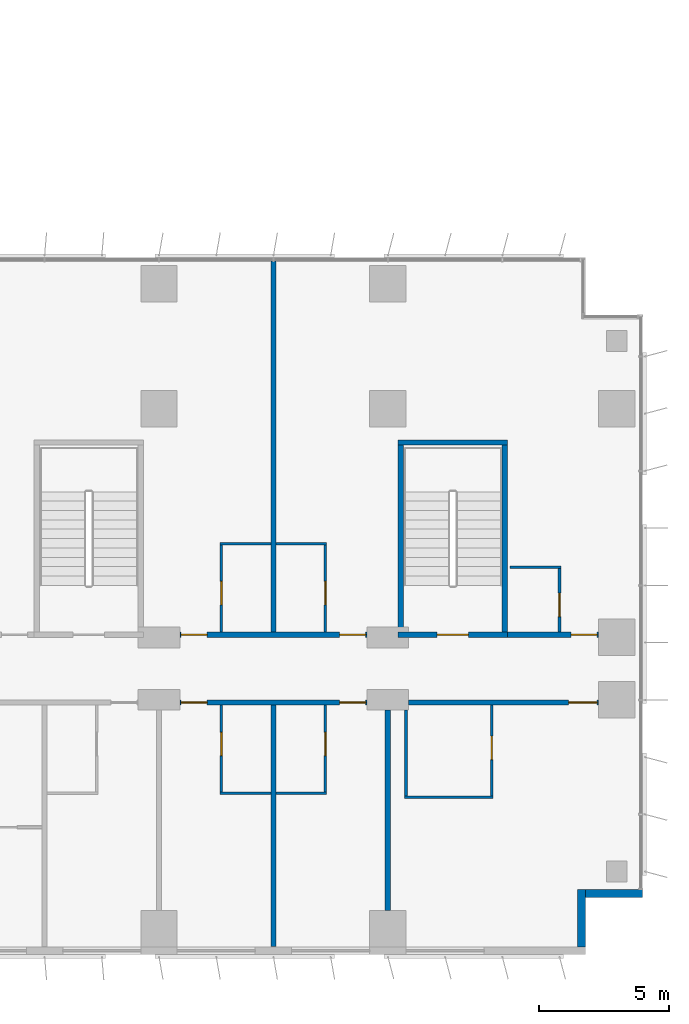
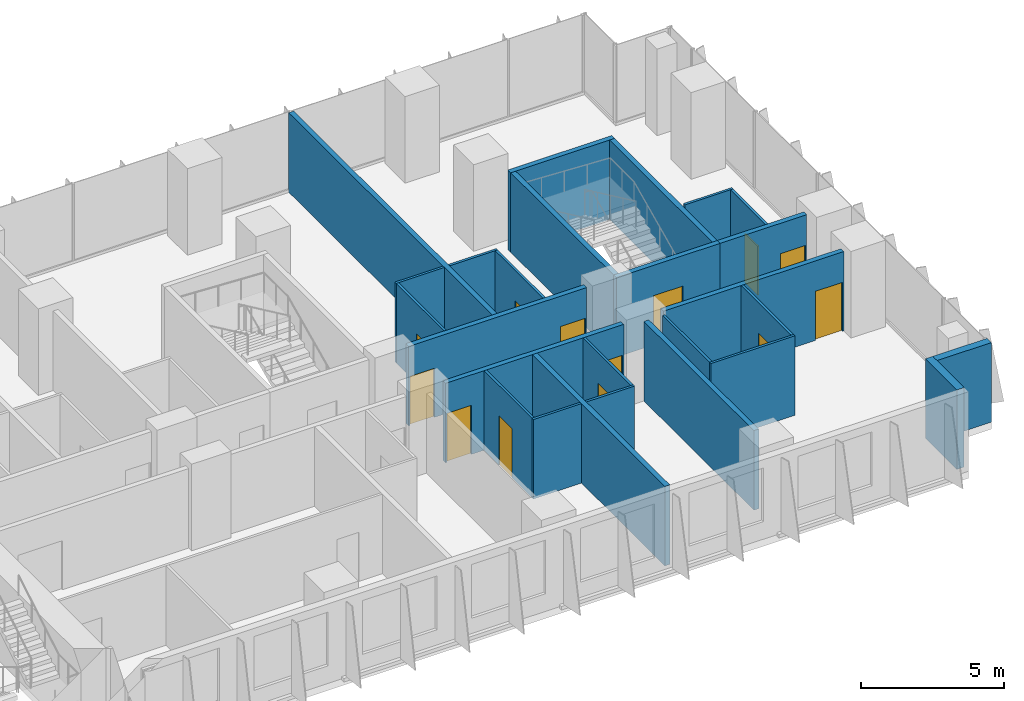
# One storey, part 18 of 24: 26 walls, 13 doors, 13 openings.
"""IFC4 building model written with IfcOpenShell, lengths in metres."""

import ifcopenshell
import ifcopenshell.guid

model = None  # the IFC model being written
_history = None  # IfcOwnerHistory: only IFC2X3 demands one
_inside = {}  # id of a spatial element -> (the spatial element, [elements in it])
_under = {}  # id of a project, library or spatial element -> (it, [spatial elements below it])
_declared = {}  # id of a project -> (the project, [libraries it declares])
_typed = {}  # id of a type object -> (the type object, [elements of that type])
_made_of = {}  # id of a material, layer set ... -> (it, [elements and type objects made of it])


def new_model(schema):
    """Start an empty IFC model of exactly this schema.

    Asked for "IFC4X3", IfcOpenShell would pick the latest addendum, in which some entities
    have other attributes; the version numbers below select the first issue.
    IFC2X3 requires an IfcOwnerHistory on every rooted entity: one is made here for all.
    """
    global model, _history
    if schema == "IFC4X3":
        model = ifcopenshell.file(schema_version=(4, 3, 0, 0))
    else:
        model = ifcopenshell.file(schema=schema)
    _inside.clear()
    _under.clear()
    _declared.clear()
    _typed.clear()
    _made_of.clear()
    _history = None
    if model.schema == "IFC2X3":
        org = make("IfcOrganization", Name="unknown")
        user = make(
            "IfcPersonAndOrganization",
            ThePerson=make("IfcPerson", FamilyName="unknown"),
            TheOrganization=org,
        )
        app = make(
            "IfcApplication",
            ApplicationDeveloper=org,
            Version="unknown",
            ApplicationFullName="unknown",
            ApplicationIdentifier="unknown",
        )
        _history = make(
            "IfcOwnerHistory",
            OwningUser=user,
            OwningApplication=app,
            ChangeAction="ADDED",
            CreationDate=0,
        )
    return model


def make(cls, **values):
    """One entity of the class cls with the attributes given. An attribute that is None is left unset."""
    return model.create_entity(
        cls, **{name: value for name, value in values.items() if value is not None}
    )


def rooted(cls, **values):
    """An entity with a GlobalId (a new one), such as an element, a storey or a relation."""
    return make(cls, GlobalId=ifcopenshell.guid.new(), OwnerHistory=_history, **values)


def si_unit(unit_type, name, prefix=None):
    """IfcSIUnit, for example si_unit("LENGTHUNIT", "METRE", prefix="MILLI")."""
    return make("IfcSIUnit", UnitType=unit_type, Prefix=prefix, Name=name)


def assignment(units):
    """IfcUnitAssignment: the units of a project."""
    return None if units is None else make("IfcUnitAssignment", Units=units)


def point(xyz):
    """IfcCartesianPoint."""
    return None if xyz is None else make("IfcCartesianPoint", Coordinates=xyz)


def direction(xyz):
    """IfcDirection."""
    return None if xyz is None else make("IfcDirection", DirectionRatios=xyz)


def frame(location, z_axis=None, x_axis=None):
    """IfcAxis2Placement3D, a coordinate frame: its origin and axes. An axis left out is left unset."""
    return make(
        "IfcAxis2Placement3D",
        Location=point(location),
        Axis=direction(z_axis),
        RefDirection=direction(x_axis),
    )


def frame_2d(location, x_axis=None):
    """IfcAxis2Placement2D, a coordinate frame in the plane: its origin and x axis."""
    return make(
        "IfcAxis2Placement2D", Location=point(location), RefDirection=direction(x_axis)
    )


def origin():
    """The frame at (0, 0, 0) with its axes left unset."""
    return frame((0.0, 0.0, 0.0))


def place(relative_to, where):
    """IfcLocalPlacement: puts the frame where relative to a parent placement (None: the world)."""
    return make(
        "IfcLocalPlacement", PlacementRelTo=relative_to, RelativePlacement=where
    )


def context(
    kind, dimensions, precision=None, world=None, true_north=None, identifier=None
):
    """IfcGeometricRepresentationContext, for example the 3D "Model" context."""
    return make(
        "IfcGeometricRepresentationContext",
        ContextIdentifier=identifier,
        ContextType=kind,
        CoordinateSpaceDimension=dimensions,
        Precision=precision,
        WorldCoordinateSystem=world,
        TrueNorth=true_north,
    )


def subcontext(parent, identifier, kind, view, scale=None):
    """IfcGeometricRepresentationSubContext, for example "Body" below "Model"."""
    return make(
        "IfcGeometricRepresentationSubContext",
        ContextIdentifier=identifier,
        ContextType=kind,
        ParentContext=parent,
        TargetScale=scale,
        TargetView=view,
    )


def project(units=None, contexts=None):
    """IfcProject with its units and contexts."""
    return rooted(
        "IfcProject",
        Name="project",
        RepresentationContexts=contexts,
        UnitsInContext=assignment(units),
    )


def spatial(cls, under=None, at=None, **own):
    """A site, building, storey or space (cls), placed at a placement, below another one or the project."""
    s = rooted(cls, ObjectPlacement=at, **own)
    if under is not None:
        _under.setdefault(under.id(), (under, []))[1].append(s)
    return s


def profile(cls, at=None, kind="AREA", **sizes):
    """A parametric profile (cls). Its sizes go by their IFC names, for example OverallWidth=200.0."""
    return make(cls, ProfileType=kind, Position=at, **sizes)


def rectangle(**sizes):
    """IfcRectangleProfileDef."""
    return profile("IfcRectangleProfileDef", **sizes)


def extrude(swept, where, along, depth):
    """IfcExtrudedAreaSolid: the profile swept, set in the frame where, extruded along a direction by depth."""
    return make(
        "IfcExtrudedAreaSolid",
        SweptArea=swept,
        Position=where,
        ExtrudedDirection=direction(along),
        Depth=depth,
    )


def shape(context_of_items, identifier, shape_type, items):
    """IfcShapeRepresentation: the items that make up one representation, for example the "Body"."""
    return make(
        "IfcShapeRepresentation",
        ContextOfItems=context_of_items,
        RepresentationIdentifier=identifier,
        RepresentationType=shape_type,
        Items=items,
    )


def material(Name=None, Category=None):
    """IfcMaterial."""
    return make("IfcMaterial", Name=Name, Category=Category)


def layer(
    of_material, thickness, ventilated=None, Name=None, Category=None, Priority=None
):
    """IfcMaterialLayer: one layer of a wall or slab, of a material (None: an air gap)."""
    return make(
        "IfcMaterialLayer",
        Material=of_material,
        LayerThickness=thickness,
        IsVentilated=ventilated,
        Name=Name,
        Category=Category,
        Priority=Priority,
    )


def layer_set(layers, Name=None):
    """IfcMaterialLayerSet."""
    return make("IfcMaterialLayerSet", MaterialLayers=layers, LayerSetName=Name)


def made_of(thing, what):
    """Note that an element or type object is made of a material, layer set ...; save() writes the relation."""
    if what is not None:
        _made_of.setdefault(what.id(), (what, []))[1].append(thing)
    return thing


def type_object(cls, material=None, **own):
    """A type object (cls), such as IfcWallType, which elements share."""
    return made_of(rooted(cls, **own), material)


def element(
    cls,
    number,
    at=None,
    inside=None,
    cuts=None,
    type_object=None,
    material=None,
    context=None,
    identifier="Body",
    shape_type=None,
    held_by="IfcProductDefinitionShape",
    body=None,
    shapes=None,
    **own,
):
    """One element of the class cls, such as IfcWall. Its Tag is "e" and its number.

    at: its placement. inside: the storey or other place that contains it. cuts: it is an
    opening in that element (IfcRelVoidsElement). A single representation is given by context,
    identifier, shape_type and body (its items); several are given by shapes. held_by: the class
    of the entity that holds the representations. save() writes the other relations.
    """
    e = rooted(cls, Tag="e%d" % number, ObjectPlacement=at, **own)
    if body is not None:
        shapes = [shape(context, identifier, shape_type, body)]
    if shapes is not None:
        e.Representation = make(held_by, Representations=shapes)
    if inside is not None:
        _inside.setdefault(inside.id(), (inside, []))[1].append(e)
    if cuts is not None:
        rooted(
            "IfcRelVoidsElement", RelatingBuildingElement=cuts, RelatedOpeningElement=e
        )
    if type_object is not None:
        _typed.setdefault(type_object.id(), (type_object, []))[1].append(e)
    return made_of(e, material)


def fill(opening, filler):
    """IfcRelFillsElement: the door or window that sits in an opening."""
    return rooted(
        "IfcRelFillsElement",
        RelatingOpeningElement=opening,
        RelatedBuildingElement=filler,
    )


def aggregate(whole, parts):
    """IfcRelAggregates: a whole, such as a stair, and the parts it consists of."""
    return rooted("IfcRelAggregates", RelatingObject=whole, RelatedObjects=parts)


def save(model, path):
    """Write the relations noted so far, then the file.

    IfcRelAggregates (storeys below a building ...), IfcRelContainedInSpatialStructure (elements
    in a storey), IfcRelDefinesByType, IfcRelAssociatesMaterial and IfcRelDeclares: one each for
    every whole, place, type object, material and project.
    """
    for whole, parts in _under.values():
        aggregate(whole, parts)
    for where, things in _inside.values():
        rooted(
            "IfcRelContainedInSpatialStructure",
            RelatedElements=things,
            RelatingStructure=where,
        )
    for kind, things in _typed.values():
        rooted("IfcRelDefinesByType", RelatedObjects=things, RelatingType=kind)
    for what, things in _made_of.values():
        rooted("IfcRelAssociatesMaterial", RelatedObjects=things, RelatingMaterial=what)
    for by, libraries in _declared.values():
        rooted("IfcRelDeclares", RelatingContext=by, RelatedDefinitions=libraries)
    model.write(path)


model = new_model("IFC4")

# Units and contexts
model_context = context("Model", 3, precision=1e-05, world=origin(), true_north=direction((0.0, 1.0)))
body_context = subcontext(model_context, "Body", "Model", "MODEL_VIEW")
ifc_project = project(units=[si_unit("LENGTHUNIT", "METRE"), si_unit("AREAUNIT", "SQUARE_METRE"), si_unit("VOLUMEUNIT", "CUBIC_METRE"), si_unit("PLANEANGLEUNIT", "RADIAN"), si_unit("MASSUNIT", "GRAM", prefix="KILO")], contexts=[model_context])

# Site, building, storey
site_placement = place(None, origin())
site = spatial("IfcSite", under=ifc_project, at=site_placement, CompositionType="ELEMENT")
building_placement = place(site_placement, origin())
building = spatial("IfcBuilding", under=site, at=building_placement, Name="Kemantara Hotel Tower", CompositionType="ELEMENT")
storey_placement = place(building_placement, frame((0.0, 0.0, 48.800048828125)))
storey = spatial("IfcBuildingStorey", under=building, at=storey_placement, Name="L10", CompositionType="ELEMENT", Elevation=48.800048828125)

# Walls
ifc_material_1 = material(Name="Bronze anodised aluminium cladding on insulated steel stud wall", Category="steel")
ifc_layer_1 = layer(ifc_material_1, 0.300048828125)
ifc_layer_set_1 = layer_set([ifc_layer_1], Name="Bronze anodised aluminium cladding on insulated steel stud wall")
wall_type_1 = type_object("IfcWallType", Name="BRONZE METAL-CLAD EXTERNAL WALL 300", PredefinedType="STANDARD", material=ifc_layer_set_1)
for number, where, z_axis, x_axis, name in (
    (1, (78.85009765625, 0.300048828125, 0.0), (0.0, 0.0, 1.0), (0.0, 1.0, 0.0), "EXTERNAL WALL L10 T1-R02"),
    (2, (79.0, 2.35009765625, 0.0), (0.0, 0.0, 1.0), (1.0, 0.0, 0.0), "EXTERNAL WALL L10 T1-R03"),
):
    element("IfcWall", number, at=place(storey_placement, frame(where, z_axis=z_axis, x_axis=x_axis)), inside=storey, type_object=wall_type_1, Name=name, PredefinedType="STANDARD", context=body_context, shape_type="SweptSolid", body=[
        extrude(rectangle(XDim=2.199951171875, YDim=0.300048828125, at=frame_2d((1.10009765625, 0.0))), origin(), (0.0, 0.0, 1.0), 3.39990234375),
    ])

# Wall, openings, doors
ifc_material_2 = material(Name="Gypsum board partition, steel studs and mineral wool, 200 mm", Category="steel")
ifc_layer_2 = layer(ifc_material_2, 0.199951171875)
ifc_layer_set_2 = layer_set([ifc_layer_2], Name="Gypsum board partition, steel studs and mineral wool, 200 mm")
wall_type_2 = type_object("IfcWallType", Name="CORRIDOR WALL 200", PredefinedType="PARTITIONING", material=ifc_layer_set_2)
wall_1_placement = place(storey_placement, frame((70.599853515625, 9.699951171875, 0.0), z_axis=(0.0, 0.0, 1.0), x_axis=(-1.0, 0.0, 0.0)))
wall_1 = element("IfcWall", 3, at=wall_1_placement, inside=storey, type_object=wall_type_2, Name="CORRIDOR WALL 200 003", PredefinedType="PARTITIONING", context=body_context, shape_type="SweptSolid", body=[
    extrude(rectangle(XDim=7.19970703125, YDim=0.199951171875, at=frame_2d((3.599853515625, 0.0))), origin(), (0.0, 0.0, 1.0), 3.39990234375),
])
opening_1_placement = place(wall_1_placement, frame((6.14990234375, 0.0, 0.0)))
opening_1 = element("IfcOpeningElement", 4, at=opening_1_placement, cuts=wall_1, Name="Opening F03-006", PredefinedType="OPENING", context=body_context, shape_type="SweptSolid", body=[
    extrude(rectangle(XDim=1.0, YDim=2.10009765625, at=frame_2d((0.5, 1.050048828125))), frame((0.0, 0.10986328125, 0.0), z_axis=(0.0, -1.0, 0.0), x_axis=(1.0, 0.0, 0.0)), (0.0, 0.0, 1.0), 0.219970703125),
])
opening_2_placement = place(wall_1_placement, frame((0.0498046875, 0.0, 0.0)))
opening_2 = element("IfcOpeningElement", 5, at=opening_2_placement, cuts=wall_1, Name="Opening F03-008", PredefinedType="OPENING", context=body_context, shape_type="SweptSolid", body=[
    extrude(rectangle(XDim=1.0, YDim=2.10009765625, at=frame_2d((0.5, 1.050048828125))), frame((0.0, 0.10986328125, 0.0), z_axis=(0.0, -1.0, 0.0), x_axis=(1.0, 0.0, 0.0)), (0.0, 0.0, 1.0), 0.219970703125),
])
ifc_material_3 = material(Name="Hardwood veneer door leaf with steel frame", Category="steel")
door_type_1 = type_object("IfcDoorType", Name="GUEST ROOM DOOR 1000 X 2100 FD30S", OperationType="NOTDEFINED", PredefinedType="DOOR", material=ifc_material_3)
door_1_placement = place(opening_1_placement, origin())
door_1 = element("IfcDoor", 6, at=door_1_placement, inside=storey, type_object=door_type_1, Name="GUEST ROOM DOOR F03-006", OperationType="SINGLE_SWING_RIGHT", OverallHeight=2.10009765625, OverallWidth=1.0, PredefinedType="DOOR", context=body_context, shape_type="SweptSolid", body=[
    extrude(rectangle(XDim=1.0, YDim=2.10009765625, at=frame_2d((0.5, 1.050048828125))), frame((0.0, 0.02490234375, 0.0), z_axis=(0.0, -1.0, 0.0), x_axis=(1.0, 0.0, 0.0)), (0.0, 0.0, 1.0), 0.050048828125),
])
fill(opening_1, door_1)
door_2_placement = place(opening_2_placement, origin())
door_2 = element("IfcDoor", 7, at=door_2_placement, inside=storey, type_object=door_type_1, Name="GUEST ROOM DOOR F03-008", OperationType="SINGLE_SWING_LEFT", OverallHeight=2.10009765625, OverallWidth=1.0, PredefinedType="DOOR", context=body_context, shape_type="SweptSolid", body=[
    extrude(rectangle(XDim=1.0, YDim=2.10009765625, at=frame_2d((0.5, 1.050048828125))), frame((0.0, 0.02490234375, 0.0), z_axis=(0.0, -1.0, 0.0), x_axis=(1.0, 0.0, 0.0)), (0.0, 0.0, 1.0), 0.050048828125),
])
fill(opening_2, door_2)

# Wall, opening, door
wall_2_placement = place(storey_placement, frame((79.5, 9.699951171875, 0.0), z_axis=(0.0, 0.0, 1.0), x_axis=(-1.0, 0.0, 0.0)))
wall_2 = element("IfcWall", 8, at=wall_2_placement, inside=storey, type_object=wall_type_2, Name="CORRIDOR WALL 200 004", PredefinedType="PARTITIONING", context=body_context, shape_type="SweptSolid", body=[
    extrude(rectangle(XDim=7.2998046875, YDim=0.199951171875, at=frame_2d((3.64990234375, 0.0))), origin(), (0.0, 0.0, 1.0), 3.39990234375),
])
opening_3_placement = place(wall_2_placement, frame((0.0498046875, 0.0, 0.0)))
opening_3 = element("IfcOpeningElement", 9, at=opening_3_placement, cuts=wall_2, Name="Opening F03-010", PredefinedType="OPENING", context=body_context, shape_type="SweptSolid", body=[
    extrude(rectangle(XDim=1.10009765625, YDim=2.10009765625, at=frame_2d((0.550048828125, 1.050048828125))), frame((0.0, 0.10986328125, 0.0), z_axis=(0.0, -1.0, 0.0), x_axis=(1.0, 0.0, 0.0)), (0.0, 0.0, 1.0), 0.219970703125),
])
door_type_2 = type_object("IfcDoorType", Name="SUITE ENTRANCE DOOR 1100 X 2100 FD30S", OperationType="NOTDEFINED", PredefinedType="DOOR", material=ifc_material_3)
door_3_placement = place(opening_3_placement, origin())
door_3 = element("IfcDoor", 10, at=door_3_placement, inside=storey, type_object=door_type_2, Name="SUITE ENTRANCE DOOR F03-010", OperationType="SINGLE_SWING_LEFT", OverallHeight=2.10009765625, OverallWidth=1.10009765625, PredefinedType="DOOR", context=body_context, shape_type="SweptSolid", body=[
    extrude(rectangle(XDim=1.10009765625, YDim=2.10009765625, at=frame_2d((0.550048828125, 1.050048828125))), frame((0.0, 0.02490234375, 0.0), z_axis=(0.0, -1.0, 0.0), x_axis=(1.0, 0.0, 0.0)), (0.0, 0.0, 1.0), 0.050048828125),
])
fill(opening_3, door_3)

# Wall, openings, doors
wall_3_placement = place(storey_placement, frame((63.400146484375, 12.300048828125, 0.0), z_axis=(0.0, 0.0, 1.0), x_axis=(1.0, 0.0, 0.0)))
wall_3 = element("IfcWall", 11, at=wall_3_placement, inside=storey, type_object=wall_type_2, Name="CORRIDOR WALL 200 015", PredefinedType="PARTITIONING", context=body_context, shape_type="SweptSolid", body=[
    extrude(rectangle(XDim=7.19970703125, YDim=0.199951171875, at=frame_2d((3.599853515625, 0.0))), origin(), (0.0, 0.0, 1.0), 3.39990234375),
])
opening_4_placement = place(wall_3_placement, frame((0.0498046875, 0.0, 0.0)))
opening_4 = element("IfcOpeningElement", 12, at=opening_4_placement, cuts=wall_3, Name="Opening F03-024", PredefinedType="OPENING", context=body_context, shape_type="SweptSolid", body=[
    extrude(rectangle(XDim=1.0, YDim=2.10009765625, at=frame_2d((0.5, 1.050048828125))), frame((0.0, 0.10986328125, 0.0), z_axis=(0.0, -1.0, 0.0), x_axis=(1.0, 0.0, 0.0)), (0.0, 0.0, 1.0), 0.219970703125),
])
opening_5_placement = place(wall_3_placement, frame((6.14990234375, 0.0, 0.0)))
opening_5 = element("IfcOpeningElement", 13, at=opening_5_placement, cuts=wall_3, Name="Opening F03-026", PredefinedType="OPENING", context=body_context, shape_type="SweptSolid", body=[
    extrude(rectangle(XDim=1.0, YDim=2.10009765625, at=frame_2d((0.5, 1.050048828125))), frame((0.0, 0.10986328125, 0.0), z_axis=(0.0, -1.0, 0.0), x_axis=(1.0, 0.0, 0.0)), (0.0, 0.0, 1.0), 0.219970703125),
])
door_4_placement = place(opening_4_placement, origin())
door_4 = element("IfcDoor", 14, at=door_4_placement, inside=storey, type_object=door_type_1, Name="GUEST ROOM DOOR F03-024", OperationType="SINGLE_SWING_LEFT", OverallHeight=2.10009765625, OverallWidth=1.0, PredefinedType="DOOR", context=body_context, shape_type="SweptSolid", body=[
    extrude(rectangle(XDim=1.0, YDim=2.10009765625, at=frame_2d((0.5, 1.050048828125))), frame((0.0, 0.02490234375, 0.0), z_axis=(0.0, -1.0, 0.0), x_axis=(1.0, 0.0, 0.0)), (0.0, 0.0, 1.0), 0.050048828125),
])
fill(opening_4, door_4)
door_5_placement = place(opening_5_placement, origin())
door_5 = element("IfcDoor", 15, at=door_5_placement, inside=storey, type_object=door_type_1, Name="GUEST ROOM DOOR F03-026", OperationType="SINGLE_SWING_RIGHT", OverallHeight=2.10009765625, OverallWidth=1.0, PredefinedType="DOOR", context=body_context, shape_type="SweptSolid", body=[
    extrude(rectangle(XDim=1.0, YDim=2.10009765625, at=frame_2d((0.5, 1.050048828125))), frame((0.0, 0.02490234375, 0.0), z_axis=(0.0, -1.0, 0.0), x_axis=(1.0, 0.0, 0.0)), (0.0, 0.0, 1.0), 0.050048828125),
])
fill(opening_5, door_5)

# Wall, opening, door
wall_4_placement = place(storey_placement, frame((76.0, 12.300048828125, 0.0), z_axis=(0.0, 0.0, 1.0), x_axis=(1.0, 0.0, 0.0)))
wall_4 = element("IfcWall", 16, at=wall_4_placement, inside=storey, type_object=wall_type_2, Name="CORRIDOR WALL 200 016", PredefinedType="PARTITIONING", context=body_context, shape_type="SweptSolid", body=[
    extrude(rectangle(XDim=3.5, YDim=0.199951171875, at=frame_2d((1.75, 0.0))), origin(), (0.0, 0.0, 1.0), 3.39990234375),
])
opening_6_placement = place(wall_4_placement, frame((2.449951171875, 0.0, 0.0)))
opening_6 = element("IfcOpeningElement", 17, at=opening_6_placement, cuts=wall_4, Name="Opening F03-028", PredefinedType="OPENING", context=body_context, shape_type="SweptSolid", body=[
    extrude(rectangle(XDim=1.0, YDim=2.10009765625, at=frame_2d((0.5, 1.050048828125))), frame((0.0, 0.10986328125, 0.0), z_axis=(0.0, -1.0, 0.0), x_axis=(1.0, 0.0, 0.0)), (0.0, 0.0, 1.0), 0.219970703125),
])
door_6_placement = place(opening_6_placement, origin())
door_6 = element("IfcDoor", 18, at=door_6_placement, inside=storey, type_object=door_type_1, Name="GUEST ROOM DOOR F03-028", OperationType="SINGLE_SWING_RIGHT", OverallHeight=2.10009765625, OverallWidth=1.0, PredefinedType="DOOR", context=body_context, shape_type="SweptSolid", body=[
    extrude(rectangle(XDim=1.0, YDim=2.10009765625, at=frame_2d((0.5, 1.050048828125))), frame((0.0, 0.02490234375, 0.0), z_axis=(0.0, -1.0, 0.0), x_axis=(1.0, 0.0, 0.0)), (0.0, 0.0, 1.0), 0.050048828125),
])
fill(opening_6, door_6)

ifc_material_4 = material(Name="Concrete fc 40 MPa", Category="concrete")
ifc_layer_3 = layer(ifc_material_4, 0.199951171875)
ifc_layer_set_3 = layer_set([ifc_layer_3], Name="Concrete fc 40 MPa")
wall_type_3 = type_object("IfcWallType", Name="Concrete stair wall 200 mm", PredefinedType="SHEAR", material=ifc_layer_set_3)
wall_5_placement = place(storey_placement, frame((71.800048828125, 12.300048828125, 0.0), z_axis=(0.0, 0.0, 1.0), x_axis=(1.0, 0.0, 0.0)))
wall_5 = element("IfcWall", 19, at=wall_5_placement, inside=storey, type_object=wall_type_3, Name="Stair ST5 enclosure wall with door", PredefinedType="SHEAR", context=body_context, shape_type="SweptSolid", body=[
    extrude(rectangle(XDim=4.199951171875, YDim=0.199951171875, at=frame_2d((2.10009765625, 0.0))), origin(), (0.0, 0.0, 1.0), 3.39990234375),
])
opening_7_placement = place(wall_5_placement, frame((1.5, 0.0, 0.0)))
opening_7 = element("IfcOpeningElement", 20, at=opening_7_placement, cuts=wall_5, Name="Opening ST5-C", PredefinedType="OPENING", context=body_context, shape_type="SweptSolid", body=[
    extrude(rectangle(XDim=1.199951171875, YDim=2.10009765625, at=frame_2d((0.60009765625, 1.050048828125))), frame((0.0, 0.10986328125, 0.0), z_axis=(0.0, -1.0, 0.0), x_axis=(1.0, 0.0, 0.0)), (0.0, 0.0, 1.0), 0.219970703125),
])
ifc_material_5 = material(Name="Steel fire door", Category="steel")
door_type_3 = type_object("IfcDoorType", Name="Fire door FD90 1200 x 2100", OperationType="NOTDEFINED", PredefinedType="DOOR", material=ifc_material_5)
door_7_placement = place(opening_7_placement, origin())
door_7 = element("IfcDoor", 21, at=door_7_placement, inside=storey, type_object=door_type_3, Name="Stair ST5 door", OperationType="SINGLE_SWING_RIGHT", OverallHeight=2.10009765625, OverallWidth=1.199951171875, PredefinedType="DOOR", context=body_context, shape_type="SweptSolid", body=[
    extrude(rectangle(XDim=1.199951171875, YDim=2.10009765625, at=frame_2d((0.60009765625, 1.050048828125))), frame((0.0, 0.02490234375, 0.0), z_axis=(0.0, -1.0, 0.0), x_axis=(1.0, 0.0, 0.0)), (0.0, 0.0, 1.0), 0.050048828125),
])
fill(opening_7, door_7)

# Walls
wall_6_placement = place(storey_placement, frame((71.800048828125, 19.699951171875, 0.0), z_axis=(0.0, 0.0, 1.0), x_axis=(1.0, 0.0, 0.0)))
element("IfcWall", 22, at=wall_6_placement, inside=storey, type_object=wall_type_3, Name="Stair ST5 enclosure wall N", PredefinedType="SHEAR", context=body_context, shape_type="SweptSolid", body=[
    extrude(rectangle(XDim=4.199951171875, YDim=0.199951171875, at=frame_2d((2.10009765625, 0.0))), origin(), (0.0, 0.0, 1.0), 3.39990234375),
])
for number, where, z_axis, x_axis, name in (
    (23, (71.89990234375, 12.39990234375, 0.0), (0.0, 0.0, 1.0), (0.0, 1.0, 0.0), "Stair ST5 enclosure wall W"),
    (24, (75.89990234375, 12.39990234375, 0.0), (0.0, 0.0, 1.0), (0.0, 1.0, 0.0), "Stair ST5 enclosure wall E"),
):
    element("IfcWall", number, at=place(storey_placement, frame(where, z_axis=z_axis, x_axis=x_axis)), inside=storey, type_object=wall_type_3, Name=name, PredefinedType="SHEAR", context=body_context, shape_type="SweptSolid", body=[
        extrude(rectangle(XDim=7.2001953125, YDim=0.199951171875, at=frame_2d((3.60009765625, 0.0))), origin(), (0.0, 0.0, 1.0), 3.39990234375),
    ])
ifc_layer_4 = layer(ifc_material_2, 0.199951171875)
ifc_layer_set_4 = layer_set([ifc_layer_4], Name="Gypsum board partition, steel studs and mineral wool, 200 mm")
wall_type_4 = type_object("IfcWallType", Name="GUEST ROOM PARTY WALL 200", PredefinedType="PARTITIONING", material=ifc_layer_set_4)
wall_7_placement = place(storey_placement, frame((67.0, 0.31005859375, 0.0), z_axis=(0.0, 0.0, 1.0), x_axis=(0.0, 1.0, 0.0)))
element("IfcWall", 25, at=wall_7_placement, inside=storey, type_object=wall_type_4, Name="GUEST ROOM PARTY WALL 200 007", PredefinedType="PARTITIONING", context=body_context, shape_type="SweptSolid", body=[
    extrude(rectangle(XDim=9.2900390625, YDim=0.199951171875, at=frame_2d((4.64501953125, 0.0))), origin(), (0.0, 0.0, 1.0), 3.39990234375),
])
wall_8_placement = place(storey_placement, frame((67.0, 12.39990234375, 0.0), z_axis=(0.0, 0.0, 1.0), x_axis=(0.0, 1.0, 0.0)))
element("IfcWall", 26, at=wall_8_placement, inside=storey, type_object=wall_type_4, Name="GUEST ROOM PARTY WALL 200 008", PredefinedType="PARTITIONING", context=body_context, shape_type="SweptSolid", body=[
    extrude(rectangle(XDim=14.27001953125, YDim=0.199951171875, at=frame_2d((7.135009765625, 0.0))), origin(), (0.0, 0.0, 1.0), 3.39990234375),
])
wall_9_placement = place(storey_placement, frame((71.39990234375, 1.7001953125, 0.0), z_axis=(0.0, 0.0, 1.0), x_axis=(0.0, 1.0, 0.0)))
element("IfcWall", 27, at=wall_9_placement, inside=storey, type_object=wall_type_4, Name="GUEST ROOM PARTY WALL 200 009", PredefinedType="PARTITIONING", context=body_context, shape_type="SweptSolid", body=[
    extrude(rectangle(XDim=7.69970703125, YDim=0.199951171875, at=frame_2d((3.849853515625, 0.0))), origin(), (0.0, 0.0, 1.0), 3.39990234375),
])
ifc_material_6 = material(Name="Gypsum board partition on steel studs, 100 mm", Category="steel")
ifc_layer_5 = layer(ifc_material_6, 0.10009765625)
ifc_layer_set_5 = layer_set([ifc_layer_5], Name="Gypsum board partition on steel studs, 100 mm")
wall_type_5 = type_object("IfcWallType", Name="ROOM PARTITION 100", PredefinedType="PARTITIONING", material=ifc_layer_set_5)
for number, where, z_axis, x_axis, name in (
    (28, (64.949951171875, 6.199951171875, 0.0), (0.0, 0.0, 1.0), (1.0, 0.0, 0.0), "ROOM PARTITION 100 065"),
    (29, (67.10009765625, 6.199951171875, 0.0), (0.0, 0.0, 1.0), (1.0, 0.0, 0.0), "ROOM PARTITION 100 066"),
):
    element("IfcWall", number, at=place(storey_placement, frame(where, z_axis=z_axis, x_axis=x_axis)), inside=storey, type_object=wall_type_5, Name=name, PredefinedType="PARTITIONING", context=body_context, shape_type="SweptSolid", body=[
        extrude(rectangle(XDim=1.949951171875, YDim=0.10009765625, at=frame_2d((0.97509765625, 0.0))), origin(), (0.0, 0.0, 1.0), 3.39990234375),
    ])

# Wall, opening, door
wall_10_placement = place(storey_placement, frame((65.0, 9.60009765625, 0.0), z_axis=(0.0, 0.0, 1.0), x_axis=(0.0, -1.0, 0.0)))
wall_10 = element("IfcWall", 30, at=wall_10_placement, inside=storey, type_object=wall_type_5, Name="ROOM PARTITION 100 068", PredefinedType="PARTITIONING", context=body_context, shape_type="SweptSolid", body=[
    extrude(rectangle(XDim=3.35009765625, YDim=0.10009765625, at=frame_2d((1.675048828125, 0.0))), origin(), (0.0, 0.0, 1.0), 3.39990234375),
])
opening_8_placement = place(wall_10_placement, frame((1.050048828125, 0.0, 0.0)))
opening_8 = element("IfcOpeningElement", 31, at=opening_8_placement, cuts=wall_10, Name="Opening F03-007", PredefinedType="OPENING", context=body_context, shape_type="SweptSolid", body=[
    extrude(rectangle(XDim=0.89990234375, YDim=2.10009765625, at=frame_2d((0.449951171875, 1.050048828125))), frame((0.0, 0.06005859375, 0.0), z_axis=(0.0, -1.0, 0.0), x_axis=(1.0, 0.0, 0.0)), (0.0, 0.0, 1.0), 0.1201171875),
])
door_type_4 = type_object("IfcDoorType", Name="BATHROOM DOOR 900 X 2100", OperationType="NOTDEFINED", PredefinedType="DOOR", material=ifc_material_3)
door_8_placement = place(opening_8_placement, origin())
door_8 = element("IfcDoor", 32, at=door_8_placement, inside=storey, type_object=door_type_4, Name="BATHROOM DOOR F03-007", OperationType="SINGLE_SWING_LEFT", OverallHeight=2.10009765625, OverallWidth=0.89990234375, PredefinedType="DOOR", context=body_context, shape_type="SweptSolid", body=[
    extrude(rectangle(XDim=0.89990234375, YDim=2.10009765625, at=frame_2d((0.449951171875, 1.050048828125))), frame((0.0, 0.02490234375, 0.0), z_axis=(0.0, -1.0, 0.0), x_axis=(1.0, 0.0, 0.0)), (0.0, 0.0, 1.0), 0.050048828125),
])
fill(opening_8, door_8)

wall_11_placement = place(storey_placement, frame((65.0, 15.75, 0.0), z_axis=(0.0, 0.0, 1.0), x_axis=(0.0, -1.0, 0.0)))
wall_11 = element("IfcWall", 33, at=wall_11_placement, inside=storey, type_object=wall_type_5, Name="ROOM PARTITION 100 069", PredefinedType="PARTITIONING", context=body_context, shape_type="SweptSolid", body=[
    extrude(rectangle(XDim=3.35009765625, YDim=0.10009765625, at=frame_2d((1.675048828125, 0.0))), origin(), (0.0, 0.0, 1.0), 3.39990234375),
])
opening_9_placement = place(wall_11_placement, frame((1.39990234375, 0.0, 0.0)))
opening_9 = element("IfcOpeningElement", 34, at=opening_9_placement, cuts=wall_11, Name="Opening F03-025", PredefinedType="OPENING", context=body_context, shape_type="SweptSolid", body=[
    extrude(rectangle(XDim=0.89990234375, YDim=2.10009765625, at=frame_2d((0.449951171875, 1.050048828125))), frame((0.0, 0.06005859375, 0.0), z_axis=(0.0, -1.0, 0.0), x_axis=(1.0, 0.0, 0.0)), (0.0, 0.0, 1.0), 0.1201171875),
])
door_9_placement = place(opening_9_placement, origin())
door_9 = element("IfcDoor", 35, at=door_9_placement, inside=storey, type_object=door_type_4, Name="BATHROOM DOOR F03-025", OperationType="SINGLE_SWING_RIGHT", OverallHeight=2.10009765625, OverallWidth=0.89990234375, PredefinedType="DOOR", context=body_context, shape_type="SweptSolid", body=[
    extrude(rectangle(XDim=0.89990234375, YDim=2.10009765625, at=frame_2d((0.449951171875, 1.050048828125))), frame((0.0, 0.02490234375, 0.0), z_axis=(0.0, -1.0, 0.0), x_axis=(1.0, 0.0, 0.0)), (0.0, 0.0, 1.0), 0.050048828125),
])
fill(opening_9, door_9)

wall_12_placement = place(storey_placement, frame((69.0, 6.25, 0.0), z_axis=(0.0, 0.0, 1.0), x_axis=(0.0, 1.0, 0.0)))
wall_12 = element("IfcWall", 36, at=wall_12_placement, inside=storey, type_object=wall_type_5, Name="ROOM PARTITION 100 070", PredefinedType="PARTITIONING", context=body_context, shape_type="SweptSolid", body=[
    extrude(rectangle(XDim=3.35009765625, YDim=0.10009765625, at=frame_2d((1.675048828125, 0.0))), origin(), (0.0, 0.0, 1.0), 3.39990234375),
])
opening_10_placement = place(wall_12_placement, frame((1.39990234375, 0.0, 0.0)))
opening_10 = element("IfcOpeningElement", 37, at=opening_10_placement, cuts=wall_12, Name="Opening F03-009", PredefinedType="OPENING", context=body_context, shape_type="SweptSolid", body=[
    extrude(rectangle(XDim=0.89990234375, YDim=2.10009765625, at=frame_2d((0.449951171875, 1.050048828125))), frame((0.0, 0.06005859375, 0.0), z_axis=(0.0, -1.0, 0.0), x_axis=(1.0, 0.0, 0.0)), (0.0, 0.0, 1.0), 0.1201171875),
])
door_10_placement = place(opening_10_placement, origin())
door_10 = element("IfcDoor", 38, at=door_10_placement, inside=storey, type_object=door_type_4, Name="BATHROOM DOOR F03-009", OperationType="SINGLE_SWING_RIGHT", OverallHeight=2.10009765625, OverallWidth=0.89990234375, PredefinedType="DOOR", context=body_context, shape_type="SweptSolid", body=[
    extrude(rectangle(XDim=0.89990234375, YDim=2.10009765625, at=frame_2d((0.449951171875, 1.050048828125))), frame((0.0, 0.02490234375, 0.0), z_axis=(0.0, -1.0, 0.0), x_axis=(1.0, 0.0, 0.0)), (0.0, 0.0, 1.0), 0.050048828125),
])
fill(opening_10, door_10)

wall_13_placement = place(storey_placement, frame((69.0, 12.39990234375, 0.0), z_axis=(0.0, 0.0, 1.0), x_axis=(0.0, 1.0, 0.0)))
wall_13 = element("IfcWall", 39, at=wall_13_placement, inside=storey, type_object=wall_type_5, Name="ROOM PARTITION 100 071", PredefinedType="PARTITIONING", context=body_context, shape_type="SweptSolid", body=[
    extrude(rectangle(XDim=3.35009765625, YDim=0.10009765625, at=frame_2d((1.675048828125, 0.0))), origin(), (0.0, 0.0, 1.0), 3.39990234375),
])
opening_11_placement = place(wall_13_placement, frame((1.050048828125, 0.0, 0.0)))
opening_11 = element("IfcOpeningElement", 40, at=opening_11_placement, cuts=wall_13, Name="Opening F03-027", PredefinedType="OPENING", context=body_context, shape_type="SweptSolid", body=[
    extrude(rectangle(XDim=0.89990234375, YDim=2.10009765625, at=frame_2d((0.449951171875, 1.050048828125))), frame((0.0, 0.06005859375, 0.0), z_axis=(0.0, -1.0, 0.0), x_axis=(1.0, 0.0, 0.0)), (0.0, 0.0, 1.0), 0.1201171875),
])
door_11_placement = place(opening_11_placement, origin())
door_11 = element("IfcDoor", 41, at=door_11_placement, inside=storey, type_object=door_type_4, Name="BATHROOM DOOR F03-027", OperationType="SINGLE_SWING_LEFT", OverallHeight=2.10009765625, OverallWidth=0.89990234375, PredefinedType="DOOR", context=body_context, shape_type="SweptSolid", body=[
    extrude(rectangle(XDim=0.89990234375, YDim=2.10009765625, at=frame_2d((0.449951171875, 1.050048828125))), frame((0.0, 0.02490234375, 0.0), z_axis=(0.0, -1.0, 0.0), x_axis=(1.0, 0.0, 0.0)), (0.0, 0.0, 1.0), 0.050048828125),
])
fill(opening_11, door_11)

# Walls
wall_14_placement = place(storey_placement, frame((72.050048828125, 6.050048828125, 0.0), z_axis=(0.0, 0.0, 1.0), x_axis=(1.0, 0.0, 0.0)))
element("IfcWall", 42, at=wall_14_placement, inside=storey, type_object=wall_type_5, Name="ROOM PARTITION 100 072", PredefinedType="PARTITIONING", context=body_context, shape_type="SweptSolid", body=[
    extrude(rectangle(XDim=3.39990234375, YDim=0.10009765625, at=frame_2d((1.699951171875, 0.0))), origin(), (0.0, 0.0, 1.0), 3.39990234375),
])
wall_15_placement = place(storey_placement, frame((72.10009765625, 6.10009765625, 0.0), z_axis=(0.0, 0.0, 1.0), x_axis=(0.0, 1.0, 0.0)))
element("IfcWall", 43, at=wall_15_placement, inside=storey, type_object=wall_type_5, Name="ROOM PARTITION 100 073", PredefinedType="PARTITIONING", context=body_context, shape_type="SweptSolid", body=[
    extrude(rectangle(XDim=3.2998046875, YDim=0.10009765625, at=frame_2d((1.64990234375, 0.0))), origin(), (0.0, 0.0, 1.0), 3.39990234375),
])

# Wall, opening, door
wall_16_placement = place(storey_placement, frame((75.39990234375, 6.10009765625, 0.0), z_axis=(0.0, 0.0, 1.0), x_axis=(0.0, 1.0, 0.0)))
wall_16 = element("IfcWall", 44, at=wall_16_placement, inside=storey, type_object=wall_type_5, Name="ROOM PARTITION 100 074", PredefinedType="PARTITIONING", context=body_context, shape_type="SweptSolid", body=[
    extrude(rectangle(XDim=3.5, YDim=0.10009765625, at=frame_2d((1.75, 0.0))), origin(), (0.0, 0.0, 1.0), 3.39990234375),
])
opening_12_placement = place(wall_16_placement, frame((1.39990234375, 0.0, 0.0)))
opening_12 = element("IfcOpeningElement", 45, at=opening_12_placement, cuts=wall_16, Name="Opening F03-011", PredefinedType="OPENING", context=body_context, shape_type="SweptSolid", body=[
    extrude(rectangle(XDim=0.89990234375, YDim=2.10009765625, at=frame_2d((0.449951171875, 1.050048828125))), frame((0.0, 0.06005859375, 0.0), z_axis=(0.0, -1.0, 0.0), x_axis=(1.0, 0.0, 0.0)), (0.0, 0.0, 1.0), 0.1201171875),
])
door_12_placement = place(opening_12_placement, origin())
door_12 = element("IfcDoor", 46, at=door_12_placement, inside=storey, type_object=door_type_4, Name="BATHROOM DOOR F03-011", OperationType="SINGLE_SWING_RIGHT", OverallHeight=2.10009765625, OverallWidth=0.89990234375, PredefinedType="DOOR", context=body_context, shape_type="SweptSolid", body=[
    extrude(rectangle(XDim=0.89990234375, YDim=2.10009765625, at=frame_2d((0.449951171875, 1.050048828125))), frame((0.0, 0.02490234375, 0.0), z_axis=(0.0, -1.0, 0.0), x_axis=(1.0, 0.0, 0.0)), (0.0, 0.0, 1.0), 0.050048828125),
])
fill(opening_12, door_12)

# Walls
for number, where, z_axis, x_axis, name in (
    (47, (64.949951171875, 15.800048828125, 0.0), (0.0, 0.0, 1.0), (1.0, 0.0, 0.0), "ROOM PARTITION 100 083"),
    (48, (67.10009765625, 15.800048828125, 0.0), (0.0, 0.0, 1.0), (1.0, 0.0, 0.0), "ROOM PARTITION 100 084"),
    (49, (76.10009765625, 14.89990234375, 0.0), (0.0, 0.0, 1.0), (1.0, 0.0, 0.0), "ROOM PARTITION 100 089"),
):
    element("IfcWall", number, at=place(storey_placement, frame(where, z_axis=z_axis, x_axis=x_axis)), inside=storey, type_object=wall_type_5, Name=name, PredefinedType="PARTITIONING", context=body_context, shape_type="SweptSolid", body=[
        extrude(rectangle(XDim=1.949951171875, YDim=0.10009765625, at=frame_2d((0.97509765625, 0.0))), origin(), (0.0, 0.0, 1.0), 3.39990234375),
    ])

# Wall, opening, door
wall_17_placement = place(storey_placement, frame((78.0, 12.39990234375, 0.0), z_axis=(0.0, 0.0, 1.0), x_axis=(0.0, 1.0, 0.0)))
wall_17 = element("IfcWall", 50, at=wall_17_placement, inside=storey, type_object=wall_type_5, Name="ROOM PARTITION 100 090", PredefinedType="PARTITIONING", context=body_context, shape_type="SweptSolid", body=[
    extrude(rectangle(XDim=2.4501953125, YDim=0.10009765625, at=frame_2d((1.22509765625, 0.0))), origin(), (0.0, 0.0, 1.0), 3.39990234375),
])
opening_13_placement = place(wall_17_placement, frame((0.60009765625, 0.0, 0.0)))
opening_13 = element("IfcOpeningElement", 51, at=opening_13_placement, cuts=wall_17, Name="Opening F03-029", PredefinedType="OPENING", context=body_context, shape_type="SweptSolid", body=[
    extrude(rectangle(XDim=0.89990234375, YDim=2.10009765625, at=frame_2d((0.449951171875, 1.050048828125))), frame((0.0, 0.06005859375, 0.0), z_axis=(0.0, -1.0, 0.0), x_axis=(1.0, 0.0, 0.0)), (0.0, 0.0, 1.0), 0.1201171875),
])
door_13_placement = place(opening_13_placement, origin())
door_13 = element("IfcDoor", 52, at=door_13_placement, inside=storey, type_object=door_type_4, Name="BATHROOM DOOR F03-029", OperationType="SINGLE_SWING_LEFT", OverallHeight=2.10009765625, OverallWidth=0.89990234375, PredefinedType="DOOR", context=body_context, shape_type="SweptSolid", body=[
    extrude(rectangle(XDim=0.89990234375, YDim=2.10009765625, at=frame_2d((0.449951171875, 1.050048828125))), frame((0.0, 0.02490234375, 0.0), z_axis=(0.0, -1.0, 0.0), x_axis=(1.0, 0.0, 0.0)), (0.0, 0.0, 1.0), 0.050048828125),
])
fill(opening_13, door_13)

save(model, "model.ifc")
